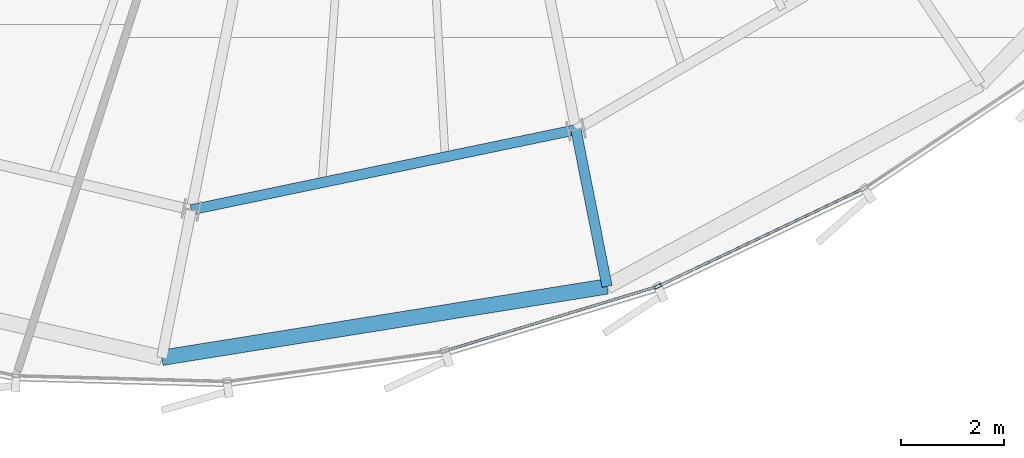
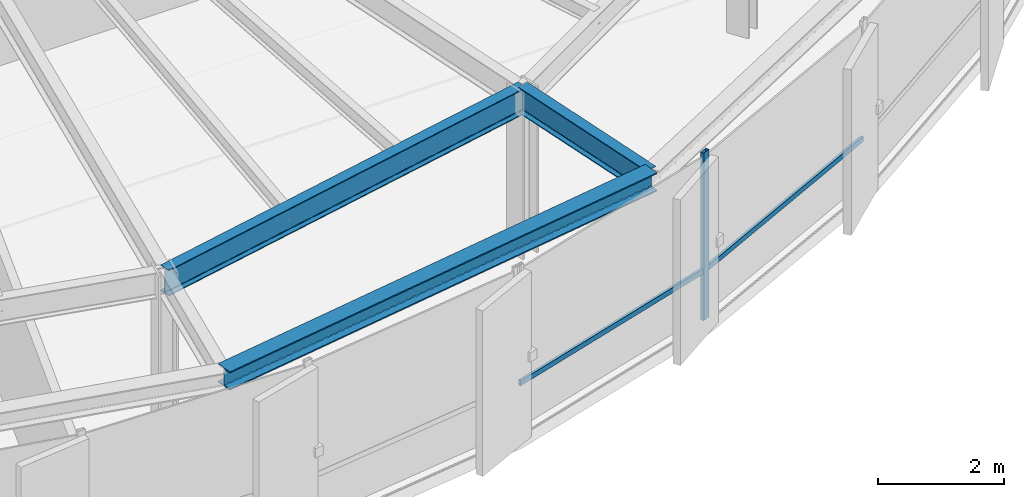
# One storey, part 7 of 34: 3 beams, 3 members, 1 element without a shape of its own.
"""IFC4 building model written with IfcOpenShell, lengths in metres."""

from ifc_helpers import new_model, si_unit, direction, frame, origin, origin_2d, place, context, subcontext, project, spatial, hollow_rectangle, i_section, extrude, source, transform, mapped, material, layer, layer_set, material_profile, profile_set, type_object, element, aggregate, save


model = new_model("IFC4")

# Units and contexts
model_context = context("Model", 3, precision=1e-05, world=origin(), true_north=direction((0.0, 1.0)))
body_context = subcontext(model_context, "Body", "Model", "MODEL_VIEW")
ifc_project = project(units=[si_unit("LENGTHUNIT", "METRE"), si_unit("AREAUNIT", "SQUARE_METRE"), si_unit("VOLUMEUNIT", "CUBIC_METRE"), si_unit("PLANEANGLEUNIT", "RADIAN"), si_unit("MASSUNIT", "GRAM", prefix="KILO"), si_unit("THERMODYNAMICTEMPERATUREUNIT", "KELVIN")], contexts=[model_context])

# Site, building, storey
site_placement = place(None, origin())
site = spatial("IfcSite", under=ifc_project, at=site_placement, CompositionType="ELEMENT")
building_placement = place(site_placement, origin())
building = spatial("IfcBuilding", under=site, at=building_placement, Name="Kethvar Cultural Tower", CompositionType="ELEMENT")
storey_placement = place(building_placement, frame((0.0, 0.0, 186.89990234375)))
storey = spatial("IfcBuildingStorey", under=building, at=storey_placement, Name="L48", CompositionType="ELEMENT", Elevation=186.89990234375)

# Beams
ifc_material_1 = material(Name="Steel S355J2", Category="steel")
ifc_material_profile_1 = material_profile(ifc_material_1, i_section(OverallWidth=0.199951171875, OverallDepth=0.5, WebThickness=0.01025390625, FlangeThickness=0.01611328125, FilletRadius=0.02099609375, at=origin_2d()), Name="Steel S355J2 — IPE500")
ifc_profile_set_1 = profile_set([ifc_material_profile_1], Name="Steel S355J2 — IPE500")
beam_type_1 = type_object("IfcBeamType", Name="BM-IPE500", PredefinedType="BEAM", material=ifc_profile_set_1)
shared_shape_1 = source(origin(), body_context, "Body", "SweptSolid", [
    extrude(i_section(OverallWidth=0.199951171875, OverallDepth=0.5, WebThickness=0.01025390625, FlangeThickness=0.01611328125, FilletRadius=0.02099609375, at=origin_2d()), origin(), (0.0, 0.0, 1.0), 7.6435546875),
])
beam_1_placement = place(storey_placement, frame((42.903564453125, 8.2109375, 3.008056640625), z_axis=(0.979016278161, 0.203782057834, 0.0), x_axis=(-0.203782057834, 0.979016278161, 0.0)))
element("IfcBeam", 1, at=beam_1_placement, inside=storey, type_object=beam_type_1, Name="L48 Column Ring Tie Beam CR-12", PredefinedType="BEAM", context=body_context, shape_type="MappedRepresentation", body=[
    mapped(shared_shape_1, transform((0.0, 0.0, 0.0), scale=1.0)),
])
shared_shape_2 = source(origin(), body_context, "Body", "SweptSolid", [
    extrude(i_section(OverallWidth=0.199951171875, OverallDepth=0.5, WebThickness=0.01025390625, FlangeThickness=0.01611328125, FilletRadius=0.02099609375, at=origin_2d()), origin(), (0.0, 0.0, 1.0), 3.107666015625),
])
beam_2_placement = place(storey_placement, frame((50.38671875, 9.7685546875, 3.008056640625), z_axis=(0.195073545096, -0.980788617391, 0.0), x_axis=(0.980788617391, 0.195073545096, 0.0)))
element("IfcBeam", 2, at=beam_2_placement, inside=storey, type_object=beam_type_1, Name="L48 Perimeter Cantilever Beam RC-13", PredefinedType="BEAM", context=body_context, shape_type="MappedRepresentation", body=[
    mapped(shared_shape_2, transform((0.0, 0.0, 0.0), scale=1.0)),
])
ifc_material_profile_2 = material_profile(ifc_material_1, i_section(OverallWidth=0.300048828125, OverallDepth=0.360107421875, WebThickness=0.012451171875, FlangeThickness=0.0224609375, FilletRadius=0.027099609375, at=origin_2d()), Name="Steel S355J2 — HEB360")
ifc_profile_set_2 = profile_set([ifc_material_profile_2], Name="Steel S355J2 — HEB360")
beam_type_2 = type_object("IfcBeamType", Name="BM-SP360", PredefinedType="SPANDREL", material=ifc_profile_set_2)
shared_shape_3 = source(origin(), body_context, "Body", "SweptSolid", [
    extrude(i_section(OverallWidth=0.300048828125, OverallDepth=0.360107421875, WebThickness=0.012451171875, FlangeThickness=0.0224609375, FilletRadius=0.027099609375, at=origin_2d()), origin(), (0.0, 0.0, 1.0), 8.772705078125),
])
beam_3_placement = place(storey_placement, frame((42.330810546875, 5.332275390625, 3.078125), z_axis=(0.987396308802, 0.158267271932, 0.0), x_axis=(-0.158267271932, 0.987396308802, 0.0)))
element("IfcBeam", 3, at=beam_3_placement, inside=storey, type_object=beam_type_2, Name="L48 Perimeter Spandrel Beam SP-12", PredefinedType="SPANDREL", context=body_context, shape_type="MappedRepresentation", body=[
    mapped(shared_shape_3, transform((0.0, 0.0, 0.0), scale=1.0)),
])

# Curtain wall, members
ifc_material_2 = material(Name="Aluminium 6063-T6", Category="aluminium")
ifc_layer = layer(ifc_material_2, 0.179931640625, Name="Aluminium 6063-T6", Category="aluminium")
ifc_layer_set = layer_set([ifc_layer], Name="Aluminium 6063-T6 (180 mm)")
curtain_wall_type = type_object("IfcCurtainWallType", Name="CW-SYS-04-Z34", PredefinedType="NOTDEFINED", material=ifc_layer_set)
curtain_wall_placement = place(storey_placement, origin())
curtain_wall = element("IfcCurtainWall", 4, at=curtain_wall_placement, inside=storey, type_object=curtain_wall_type, Name="L48 Curtain Wall Run 05", PredefinedType="NOTDEFINED")
ifc_material_profile_3 = material_profile(ifc_material_2, hollow_rectangle(XDim=0.06005859375, YDim=0.139892578125, WallThickness=0.0048828125, at=origin_2d()), Name="Aluminium 6063-T6 — RHS140x60x5")
ifc_profile_set_3 = profile_set([ifc_material_profile_3], Name="Aluminium 6063-T6 — RHS140x60x5")
member_type_1 = type_object("IfcMemberType", Name="CW-SYS-04-Z34-MUL", PredefinedType="MULLION", material=ifc_profile_set_3)
shared_shape_4 = source(origin(), body_context, "Body", "SweptSolid", [
    extrude(hollow_rectangle(XDim=0.06005859375, YDim=0.139892578125, WallThickness=0.0048828125, at=origin_2d()), origin(), (0.0, 0.0, 1.0), 3.260009765625),
])
member_1_placement = place(storey_placement, frame((51.97802734375, 6.720947265625, 0.0), z_axis=(0.0, 0.0, 1.0), x_axis=(-0.429124318095, 0.903245437087, 0.0)))
member_1 = element("IfcMember", 5, at=member_1_placement, type_object=member_type_1, Name="CW-L48-R05 Mullion 2", PredefinedType="MULLION", context=body_context, shape_type="MappedRepresentation", body=[
    mapped(shared_shape_4, transform((0.0, 0.0, 0.0), scale=1.0)),
])
ifc_material_profile_4 = material_profile(ifc_material_2, hollow_rectangle(XDim=0.050048828125, YDim=0.10009765625, WallThickness=0.00390625, at=origin_2d()), Name="Aluminium 6063-T6 — RHS100x50x4")
ifc_profile_set_4 = profile_set([ifc_material_profile_4], Name="Aluminium 6063-T6 — RHS100x50x4")
member_type_2 = type_object("IfcMemberType", Name="CW-SYS-04-Z34-TRN", PredefinedType="USERDEFINED", material=ifc_profile_set_4)
shared_shape_5 = source(origin(), body_context, "Body", "SweptSolid", [
    extrude(hollow_rectangle(XDim=0.050048828125, YDim=0.10009765625, WallThickness=0.00390625, at=origin_2d()), origin(), (0.0, 0.0, 1.0), 4.374755859375),
])
member_2_placement = place(storey_placement, frame((52.01708984375, 6.739501953125, 0.9501953125), z_axis=(0.903263445846, 0.429086410176, 0.0), x_axis=(-0.429086410176, 0.903263445846, 0.0)))
member_2 = element("IfcMember", 6, at=member_2_placement, type_object=member_type_2, Name="CW-L48-R05 Transom 2", ObjectType="TRANSOM", PredefinedType="USERDEFINED", context=body_context, shape_type="MappedRepresentation", body=[
    mapped(shared_shape_5, transform((0.0, 0.0, 0.0), scale=1.0)),
])
shared_shape_6 = source(origin(), body_context, "Body", "SweptSolid", [
    extrude(hollow_rectangle(XDim=0.050048828125, YDim=0.10009765625, WallThickness=0.00390625, at=origin_2d()), origin(), (0.0, 0.0, 1.0), 4.290771484375),
])
member_3_placement = place(storey_placement, frame((47.845947265625, 5.46826171875, 0.9501953125), z_axis=(0.956919541449, 0.290353217982, 0.0), x_axis=(-0.290353217982, 0.956919541449, 0.0)))
member_3 = element("IfcMember", 7, at=member_3_placement, type_object=member_type_2, Name="CW-L48-R05 Transom 1", ObjectType="TRANSOM", PredefinedType="USERDEFINED", context=body_context, shape_type="MappedRepresentation", body=[
    mapped(shared_shape_6, transform((0.0, 0.0, 0.0), scale=1.0)),
])
aggregate(curtain_wall, [member_1, member_3, member_2])

save(model, "model.ifc")
